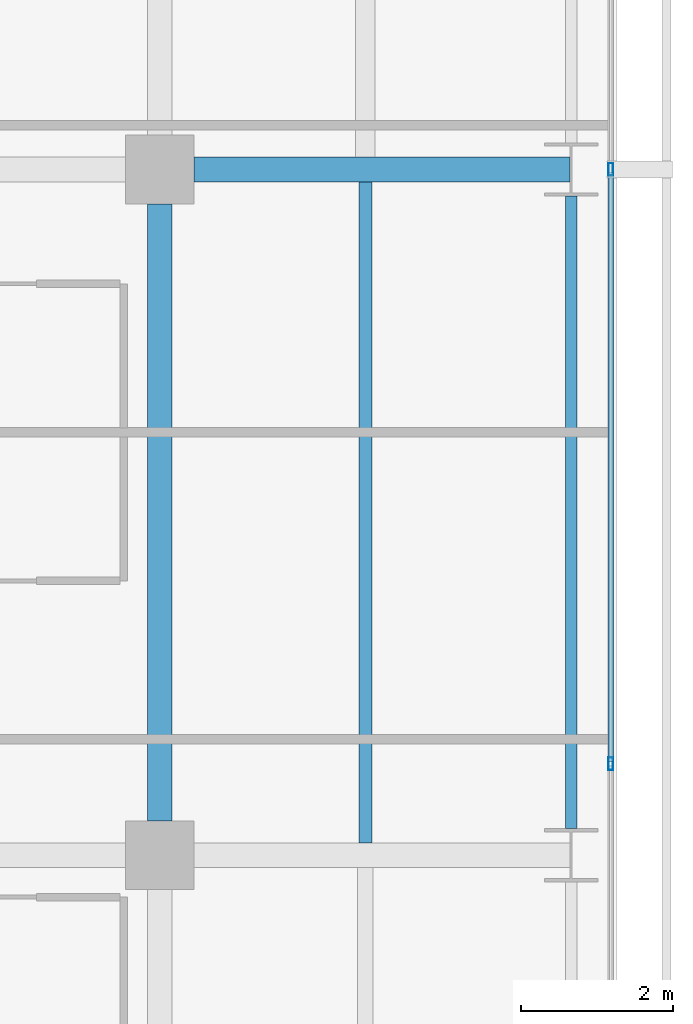
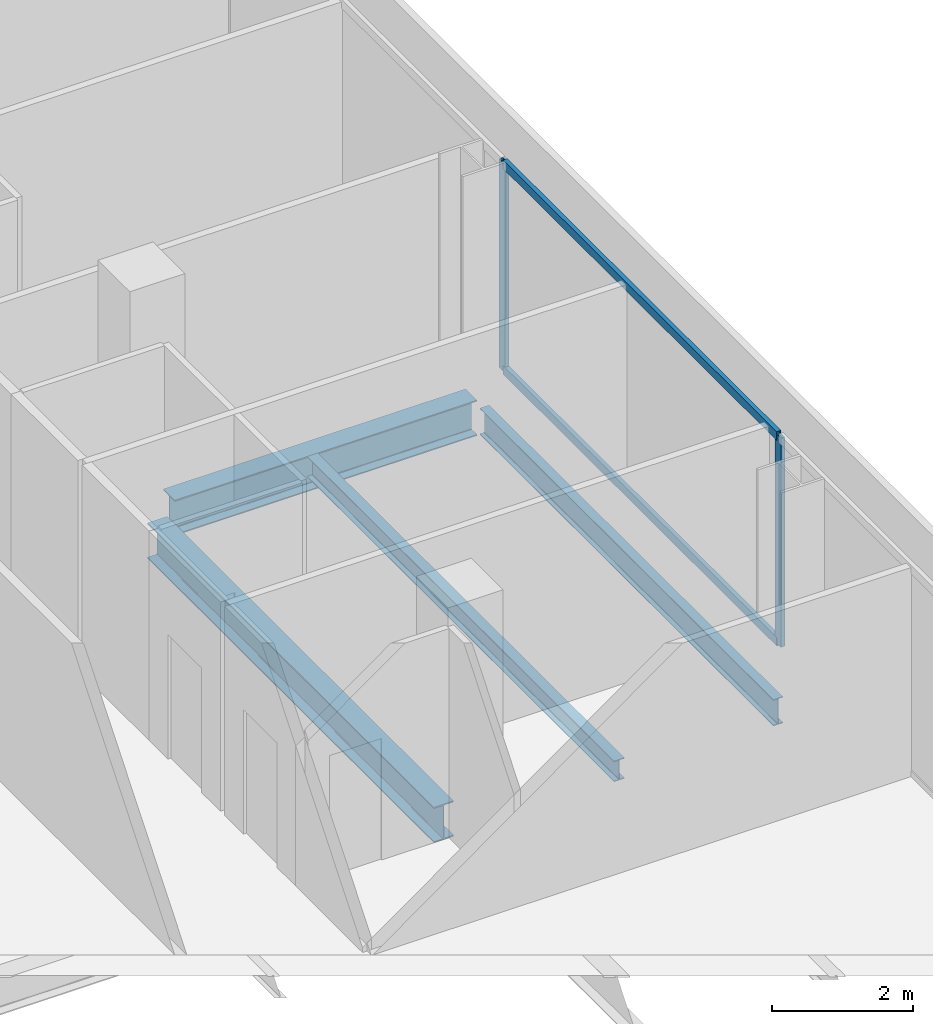
# One storey, part 19 of 41: 4 beams, 4 members, 1 element without a shape of its own.
"""IFC4 building model written with IfcOpenShell, lengths in metres."""

import ifcopenshell
import ifcopenshell.guid

model = None  # the IFC model being written
_history = None  # IfcOwnerHistory: only IFC2X3 demands one
_inside = {}  # id of a spatial element -> (the spatial element, [elements in it])
_under = {}  # id of a project, library or spatial element -> (it, [spatial elements below it])
_declared = {}  # id of a project -> (the project, [libraries it declares])
_typed = {}  # id of a type object -> (the type object, [elements of that type])
_made_of = {}  # id of a material, layer set ... -> (it, [elements and type objects made of it])


def new_model(schema):
    """Start an empty IFC model of exactly this schema.

    Asked for "IFC4X3", IfcOpenShell would pick the latest addendum, in which some entities
    have other attributes; the version numbers below select the first issue.
    IFC2X3 requires an IfcOwnerHistory on every rooted entity: one is made here for all.
    """
    global model, _history
    if schema == "IFC4X3":
        model = ifcopenshell.file(schema_version=(4, 3, 0, 0))
    else:
        model = ifcopenshell.file(schema=schema)
    _inside.clear()
    _under.clear()
    _declared.clear()
    _typed.clear()
    _made_of.clear()
    _history = None
    if model.schema == "IFC2X3":
        org = make("IfcOrganization", Name="unknown")
        user = make(
            "IfcPersonAndOrganization",
            ThePerson=make("IfcPerson", FamilyName="unknown"),
            TheOrganization=org,
        )
        app = make(
            "IfcApplication",
            ApplicationDeveloper=org,
            Version="unknown",
            ApplicationFullName="unknown",
            ApplicationIdentifier="unknown",
        )
        _history = make(
            "IfcOwnerHistory",
            OwningUser=user,
            OwningApplication=app,
            ChangeAction="ADDED",
            CreationDate=0,
        )
    return model


def make(cls, **values):
    """One entity of the class cls with the attributes given. An attribute that is None is left unset."""
    return model.create_entity(
        cls, **{name: value for name, value in values.items() if value is not None}
    )


def rooted(cls, **values):
    """An entity with a GlobalId (a new one), such as an element, a storey or a relation."""
    return make(cls, GlobalId=ifcopenshell.guid.new(), OwnerHistory=_history, **values)


def si_unit(unit_type, name, prefix=None):
    """IfcSIUnit, for example si_unit("LENGTHUNIT", "METRE", prefix="MILLI")."""
    return make("IfcSIUnit", UnitType=unit_type, Prefix=prefix, Name=name)


def assignment(units):
    """IfcUnitAssignment: the units of a project."""
    return None if units is None else make("IfcUnitAssignment", Units=units)


def point(xyz):
    """IfcCartesianPoint."""
    return None if xyz is None else make("IfcCartesianPoint", Coordinates=xyz)


def direction(xyz):
    """IfcDirection."""
    return None if xyz is None else make("IfcDirection", DirectionRatios=xyz)


def frame(location, z_axis=None, x_axis=None):
    """IfcAxis2Placement3D, a coordinate frame: its origin and axes. An axis left out is left unset."""
    return make(
        "IfcAxis2Placement3D",
        Location=point(location),
        Axis=direction(z_axis),
        RefDirection=direction(x_axis),
    )


def frame_2d(location, x_axis=None):
    """IfcAxis2Placement2D, a coordinate frame in the plane: its origin and x axis."""
    return make(
        "IfcAxis2Placement2D", Location=point(location), RefDirection=direction(x_axis)
    )


def origin():
    """The frame at (0, 0, 0) with its axes left unset."""
    return frame((0.0, 0.0, 0.0))


def origin_2d():
    """The frame at (0, 0) in the plane with its x axis left unset."""
    return frame_2d((0.0, 0.0))


def place(relative_to, where):
    """IfcLocalPlacement: puts the frame where relative to a parent placement (None: the world)."""
    return make(
        "IfcLocalPlacement", PlacementRelTo=relative_to, RelativePlacement=where
    )


def context(
    kind, dimensions, precision=None, world=None, true_north=None, identifier=None
):
    """IfcGeometricRepresentationContext, for example the 3D "Model" context."""
    return make(
        "IfcGeometricRepresentationContext",
        ContextIdentifier=identifier,
        ContextType=kind,
        CoordinateSpaceDimension=dimensions,
        Precision=precision,
        WorldCoordinateSystem=world,
        TrueNorth=true_north,
    )


def subcontext(parent, identifier, kind, view, scale=None):
    """IfcGeometricRepresentationSubContext, for example "Body" below "Model"."""
    return make(
        "IfcGeometricRepresentationSubContext",
        ContextIdentifier=identifier,
        ContextType=kind,
        ParentContext=parent,
        TargetScale=scale,
        TargetView=view,
    )


def project(units=None, contexts=None):
    """IfcProject with its units and contexts."""
    return rooted(
        "IfcProject",
        Name="project",
        RepresentationContexts=contexts,
        UnitsInContext=assignment(units),
    )


def spatial(cls, under=None, at=None, **own):
    """A site, building, storey or space (cls), placed at a placement, below another one or the project."""
    s = rooted(cls, ObjectPlacement=at, **own)
    if under is not None:
        _under.setdefault(under.id(), (under, []))[1].append(s)
    return s


def profile(cls, at=None, kind="AREA", **sizes):
    """A parametric profile (cls). Its sizes go by their IFC names, for example OverallWidth=200.0."""
    return make(cls, ProfileType=kind, Position=at, **sizes)


def hollow_rectangle(**sizes):
    """IfcRectangleHollowProfileDef."""
    return profile("IfcRectangleHollowProfileDef", **sizes)


def i_section(**sizes):
    """IfcIShapeProfileDef."""
    return profile("IfcIShapeProfileDef", **sizes)


def extrude(swept, where, along, depth):
    """IfcExtrudedAreaSolid: the profile swept, set in the frame where, extruded along a direction by depth."""
    return make(
        "IfcExtrudedAreaSolid",
        SweptArea=swept,
        Position=where,
        ExtrudedDirection=direction(along),
        Depth=depth,
    )


def shape(context_of_items, identifier, shape_type, items):
    """IfcShapeRepresentation: the items that make up one representation, for example the "Body"."""
    return make(
        "IfcShapeRepresentation",
        ContextOfItems=context_of_items,
        RepresentationIdentifier=identifier,
        RepresentationType=shape_type,
        Items=items,
    )


def material(Name=None, Category=None):
    """IfcMaterial."""
    return make("IfcMaterial", Name=Name, Category=Category)


def layer(
    of_material, thickness, ventilated=None, Name=None, Category=None, Priority=None
):
    """IfcMaterialLayer: one layer of a wall or slab, of a material (None: an air gap)."""
    return make(
        "IfcMaterialLayer",
        Material=of_material,
        LayerThickness=thickness,
        IsVentilated=ventilated,
        Name=Name,
        Category=Category,
        Priority=Priority,
    )


def layer_set(layers, Name=None):
    """IfcMaterialLayerSet."""
    return make("IfcMaterialLayerSet", MaterialLayers=layers, LayerSetName=Name)


def material_profile(
    of_material, cross_section, Name=None, Category=None, Priority=None
):
    """IfcMaterialProfile: a cross section and its material."""
    return make(
        "IfcMaterialProfile",
        Name=Name,
        Material=of_material,
        Profile=cross_section,
        Priority=Priority,
        Category=Category,
    )


def profile_set(profiles, Name=None, composite=None):
    """IfcMaterialProfileSet."""
    return make(
        "IfcMaterialProfileSet",
        Name=Name,
        MaterialProfiles=profiles,
        CompositeProfile=composite,
    )


def made_of(thing, what):
    """Note that an element or type object is made of a material, layer set ...; save() writes the relation."""
    if what is not None:
        _made_of.setdefault(what.id(), (what, []))[1].append(thing)
    return thing


def type_object(cls, material=None, **own):
    """A type object (cls), such as IfcWallType, which elements share."""
    return made_of(rooted(cls, **own), material)


def element(
    cls,
    number,
    at=None,
    inside=None,
    cuts=None,
    type_object=None,
    material=None,
    context=None,
    identifier="Body",
    shape_type=None,
    held_by="IfcProductDefinitionShape",
    body=None,
    shapes=None,
    **own,
):
    """One element of the class cls, such as IfcWall. Its Tag is "e" and its number.

    at: its placement. inside: the storey or other place that contains it. cuts: it is an
    opening in that element (IfcRelVoidsElement). A single representation is given by context,
    identifier, shape_type and body (its items); several are given by shapes. held_by: the class
    of the entity that holds the representations. save() writes the other relations.
    """
    e = rooted(cls, Tag="e%d" % number, ObjectPlacement=at, **own)
    if body is not None:
        shapes = [shape(context, identifier, shape_type, body)]
    if shapes is not None:
        e.Representation = make(held_by, Representations=shapes)
    if inside is not None:
        _inside.setdefault(inside.id(), (inside, []))[1].append(e)
    if cuts is not None:
        rooted(
            "IfcRelVoidsElement", RelatingBuildingElement=cuts, RelatedOpeningElement=e
        )
    if type_object is not None:
        _typed.setdefault(type_object.id(), (type_object, []))[1].append(e)
    return made_of(e, material)


def aggregate(whole, parts):
    """IfcRelAggregates: a whole, such as a stair, and the parts it consists of."""
    return rooted("IfcRelAggregates", RelatingObject=whole, RelatedObjects=parts)


def save(model, path):
    """Write the relations noted so far, then the file.

    IfcRelAggregates (storeys below a building ...), IfcRelContainedInSpatialStructure (elements
    in a storey), IfcRelDefinesByType, IfcRelAssociatesMaterial and IfcRelDeclares: one each for
    every whole, place, type object, material and project.
    """
    for whole, parts in _under.values():
        aggregate(whole, parts)
    for where, things in _inside.values():
        rooted(
            "IfcRelContainedInSpatialStructure",
            RelatedElements=things,
            RelatingStructure=where,
        )
    for kind, things in _typed.values():
        rooted("IfcRelDefinesByType", RelatedObjects=things, RelatingType=kind)
    for what, things in _made_of.values():
        rooted("IfcRelAssociatesMaterial", RelatedObjects=things, RelatingMaterial=what)
    for by, libraries in _declared.values():
        rooted("IfcRelDeclares", RelatingContext=by, RelatedDefinitions=libraries)
    model.write(path)


model = new_model("IFC4")

# Units and contexts
model_context = context("Model", 3, precision=1e-05, world=origin(), true_north=direction((0.0, 1.0)))
body_context = subcontext(model_context, "Body", "Model", "MODEL_VIEW")
ifc_project = project(units=[si_unit("LENGTHUNIT", "METRE"), si_unit("AREAUNIT", "SQUARE_METRE"), si_unit("VOLUMEUNIT", "CUBIC_METRE"), si_unit("PLANEANGLEUNIT", "RADIAN"), si_unit("MASSUNIT", "GRAM", prefix="KILO")], contexts=[model_context])

# Site, building, storey
site_placement = place(None, origin())
site = spatial("IfcSite", under=ifc_project, at=site_placement, CompositionType="ELEMENT")
building_placement = place(site_placement, origin())
building = spatial("IfcBuilding", under=site, at=building_placement, Name="Maruvema Waterfront Hotel and Observation Tower", CompositionType="ELEMENT")
storey_placement = place(building_placement, frame((0.0, 0.0, 84.699951171875)))
storey = spatial("IfcBuildingStorey", under=building, at=storey_placement, Name="L20", CompositionType="ELEMENT", Elevation=84.699951171875)

# Curtain wall, members
ifc_material_1 = material(Name="Anodised bronze aluminium and solar-control low-E IGU", Category="aluminium")
ifc_layer = layer(ifc_material_1, 0.159912109375, Name="Zone 1 Bronze Inner Thermal Curtain Wall System CW-02")
ifc_layer_set = layer_set([ifc_layer], Name="Anodised bronze aluminium and solar-control low-E IGU")
curtain_wall_type = type_object("IfcCurtainWallType", Name="Zone 1 Bronze Inner Thermal Curtain Wall System CW-02", PredefinedType="USERDEFINED", material=ifc_layer_set)
curtain_wall_placement = place(storey_placement, origin())
curtain_wall = element("IfcCurtainWall", 1, at=curtain_wall_placement, inside=storey, type_object=curtain_wall_type, Name="L20 Curtain Wall CW-L20-E", ObjectType="UNITISED CURTAIN WALL", PredefinedType="USERDEFINED")
ifc_material_2 = material(Name="Anodised architectural bronze aluminium", Category="aluminium")
ifc_material_profile_1 = material_profile(ifc_material_2, hollow_rectangle(XDim=0.070068359375, YDim=0.14990234375, WallThickness=0.00390625, at=origin_2d()), Name="ALU-T70x150")
ifc_profile_set_1 = profile_set([ifc_material_profile_1], Name="Anodised architectural bronze aluminium")
member_type_1 = type_object("IfcMemberType", Name="Curtain Wall Horizontal Transom ALU-T70x150", PredefinedType="USERDEFINED", material=ifc_profile_set_1)
member_1_placement = place(storey_placement, frame((64.719970703125, 19.22998046875, 0.030029296875), z_axis=(0.0, 1.0, 0.0), x_axis=(-1.0, 0.0, 0.0)))
member_1 = element("IfcMember", 2, at=member_1_placement, type_object=member_type_1, Name="CW-02 transom 3.1", ObjectType="TRANSOM", PredefinedType="USERDEFINED", context=body_context, shape_type="SweptSolid", body=[
    extrude(hollow_rectangle(XDim=0.070068359375, YDim=0.14990234375, WallThickness=0.00390625, at=origin_2d()), origin(), (0.0, 0.0, 1.0), 7.739990234375),
])
member_2_placement = place(storey_placement, frame((64.719970703125, 19.22998046875, 3.580078125), z_axis=(0.0, 1.0, 0.0), x_axis=(-1.0, 0.0, 0.0)))
member_2 = element("IfcMember", 3, at=member_2_placement, type_object=member_type_1, Name="CW-02 transom 3.2", ObjectType="TRANSOM", PredefinedType="USERDEFINED", context=body_context, shape_type="SweptSolid", body=[
    extrude(hollow_rectangle(XDim=0.070068359375, YDim=0.14990234375, WallThickness=0.00390625, at=origin_2d()), origin(), (0.0, 0.0, 1.0), 7.739990234375),
])
ifc_material_3 = material(Name="Anodised architectural bronze aluminium", Category="aluminium")
ifc_material_profile_2 = material_profile(ifc_material_3, hollow_rectangle(XDim=0.06494140625, YDim=0.1650390625, WallThickness=0.00390625, at=origin_2d()), Name="ALU-M65x165")
ifc_profile_set_2 = profile_set([ifc_material_profile_2], Name="Anodised architectural bronze aluminium")
member_type_2 = type_object("IfcMemberType", Name="Curtain Wall Primary Mullion ALU-M65x165", PredefinedType="MULLION", material=ifc_profile_set_2)
member_3_placement = place(storey_placement, frame((64.719970703125, 19.199951171875, 0.0), z_axis=(0.0, 0.0, 1.0), x_axis=(-1.0, 0.0, 0.0)))
member_3 = element("IfcMember", 4, at=member_3_placement, type_object=member_type_2, Name="CW-02 mullion 3", PredefinedType="MULLION", context=body_context, shape_type="SweptSolid", body=[
    extrude(hollow_rectangle(XDim=0.06494140625, YDim=0.1650390625, WallThickness=0.00390625, at=origin_2d()), origin(), (0.0, 0.0, 1.0), 3.610107421875),
])
member_4_placement = place(storey_placement, frame((64.719970703125, 27.0, 0.0), z_axis=(0.0, 0.0, 1.0), x_axis=(-1.0, 0.0, 0.0)))
member_4 = element("IfcMember", 5, at=member_4_placement, type_object=member_type_2, Name="CW-02 mullion 4", PredefinedType="MULLION", context=body_context, shape_type="SweptSolid", body=[
    extrude(hollow_rectangle(XDim=0.06494140625, YDim=0.1650390625, WallThickness=0.00390625, at=origin_2d()), origin(), (0.0, 0.0, 1.0), 3.610107421875),
])
aggregate(curtain_wall, [member_3, member_4, member_1, member_2])

# Beams
ifc_material_4 = material(Name="Steel ASTM A572 Grade 50", Category="steel")
ifc_material_profile_3 = material_profile(ifc_material_4, i_section(OverallWidth=0.153076171875, OverallDepth=0.455078125, WebThickness=0.008056640625, FlangeThickness=0.01318359375, FilletRadius=0.014892578125, at=origin_2d()), Name="W460x60.0")
ifc_profile_set_3 = profile_set([ifc_material_profile_3], Name="Steel ASTM A572 Grade 50")
beam_type_1 = type_object("IfcBeamType", Name="Perimeter Spandrel Beam W460x60.0", PredefinedType="SPANDREL", material=ifc_profile_set_3)
beam_1_placement = place(storey_placement, frame((64.199951171875, 18.35009765625, -0.467529296875), z_axis=(0.0, 1.0, 0.0), x_axis=(-1.0, 0.0, 0.0)))
element("IfcBeam", 6, at=beam_1_placement, inside=storey, type_object=beam_type_1, Name="L20 Floor Girder NS-34", PredefinedType="SPANDREL", context=body_context, shape_type="SweptSolid", body=[
    extrude(i_section(OverallWidth=0.153076171875, OverallDepth=0.455078125, WebThickness=0.008056640625, FlangeThickness=0.01318359375, FilletRadius=0.014892578125, at=origin_2d()), origin(), (0.0, 0.0, 1.0), 8.2998046875),
])
ifc_material_5 = material(Name="Steel ASTM A572 Grade 50", Category="steel")
ifc_material_profile_4 = material_profile(ifc_material_5, i_section(OverallWidth=0.323974609375, OverallDepth=0.611083984375, WebThickness=0.0126953125, FlangeThickness=0.01904296875, FilletRadius=0.01806640625, at=origin_2d()), Name="W610x155.0")
ifc_profile_set_4 = profile_set([ifc_material_profile_4], Name="Steel ASTM A572 Grade 50")
beam_type_2 = type_object("IfcBeamType", Name="Primary Floor Girder W610x155.0", PredefinedType="BEAM", material=ifc_profile_set_4)
beam_2_placement = place(storey_placement, frame((59.25, 27.0, -0.54541015625), z_axis=(1.0, 0.0, 0.0), x_axis=(0.0, 1.0, 0.0)))
element("IfcBeam", 7, at=beam_2_placement, inside=storey, type_object=beam_type_2, Name="L20 Floor Girder EW-24", PredefinedType="BEAM", context=body_context, shape_type="SweptSolid", body=[
    extrude(i_section(OverallWidth=0.323974609375, OverallDepth=0.611083984375, WebThickness=0.0126953125, FlangeThickness=0.01904296875, FilletRadius=0.01806640625, at=origin_2d()), origin(), (0.0, 0.0, 1.0), 4.93603515625),
])
beam_3_placement = place(storey_placement, frame((58.800048828125, 18.449951171875, -0.54541015625), z_axis=(0.0, 1.0, 0.0), x_axis=(-1.0, 0.0, 0.0)))
element("IfcBeam", 8, at=beam_3_placement, inside=storey, type_object=beam_type_2, Name="L20 Floor Girder NS-29", PredefinedType="BEAM", context=body_context, shape_type="SweptSolid", body=[
    extrude(i_section(OverallWidth=0.323974609375, OverallDepth=0.611083984375, WebThickness=0.0126953125, FlangeThickness=0.01904296875, FilletRadius=0.01806640625, at=origin_2d()), origin(), (0.0, 0.0, 1.0), 8.10009765625),
])
ifc_material_6 = material(Name="Steel ASTM A572 Grade 50", Category="steel")
ifc_material_profile_5 = material_profile(ifc_material_6, i_section(OverallWidth=0.1708984375, OverallDepth=0.35498046875, WebThickness=0.007080078125, FlangeThickness=0.01171875, FilletRadius=0.014892578125, at=origin_2d()), Name="W360x51.0")
ifc_profile_set_5 = profile_set([ifc_material_profile_5], Name="Steel ASTM A572 Grade 50")
beam_type_3 = type_object("IfcBeamType", Name="Secondary Floor Joist W360x51.0", PredefinedType="JOIST", material=ifc_profile_set_5)
beam_4_placement = place(storey_placement, frame((61.5, 18.162109375, -0.41748046875), z_axis=(0.0, 1.0, 0.0), x_axis=(-1.0, 0.0, 0.0)))
element("IfcBeam", 9, at=beam_4_placement, inside=storey, type_object=beam_type_3, Name="L20 Secondary Floor Joist JS-22", PredefinedType="JOIST", context=body_context, shape_type="SweptSolid", body=[
    extrude(i_section(OverallWidth=0.1708984375, OverallDepth=0.35498046875, WebThickness=0.007080078125, FlangeThickness=0.01171875, FilletRadius=0.014892578125, at=origin_2d()), origin(), (0.0, 0.0, 1.0), 8.67578125),
])

save(model, "model.ifc")
